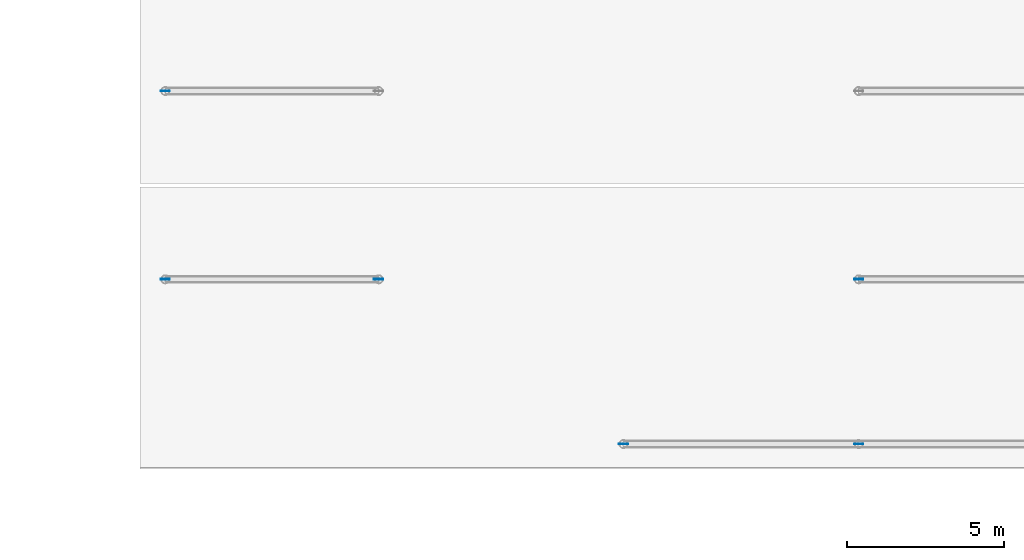
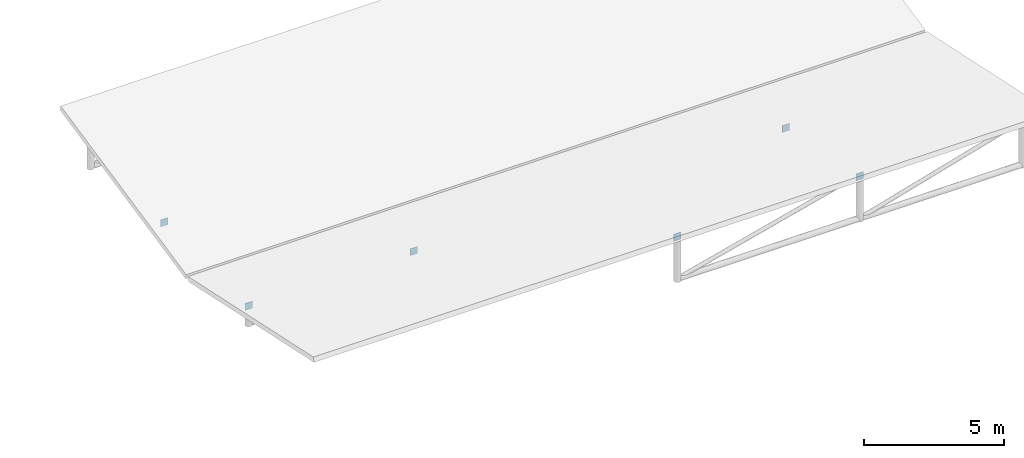
# One storey, part 127 of 146: 6 plates.
"""IFC4 building model written with IfcOpenShell, lengths in metres."""

from ifc_helpers import new_model, si_unit, direction, frame, origin, origin_2d, place, context, subcontext, project, spatial, rectangle, extrude, material, layer, layer_set, type_object, element, save


model = new_model("IFC4")

# Units and contexts
model_context = context("Model", 3, precision=1e-05, world=origin(), true_north=direction((0.0, 1.0)))
body_context = subcontext(model_context, "Body", "Model", "MODEL_VIEW")
ifc_project = project(units=[si_unit("LENGTHUNIT", "METRE"), si_unit("AREAUNIT", "SQUARE_METRE"), si_unit("VOLUMEUNIT", "CUBIC_METRE"), si_unit("PLANEANGLEUNIT", "RADIAN"), si_unit("MASSUNIT", "GRAM", prefix="KILO")], contexts=[model_context])

# Site, building, storey
site_placement = place(None, origin())
site = spatial("IfcSite", under=ifc_project, at=site_placement, CompositionType="ELEMENT")
building_placement = place(site_placement, origin())
building = spatial("IfcBuilding", under=site, at=building_placement, Name="Valcora Specialist Clinic", CompositionType="ELEMENT")
storey_placement = place(building_placement, frame((0.0, 0.0, 9.52001953125)))
storey = spatial("IfcBuildingStorey", under=building, at=storey_placement, Name="L02", CompositionType="ELEMENT", Elevation=9.52001953125)

# Plates
ifc_material = material(Name="Steel ASTM A572 Grade 50", Category="steel")
ifc_layer = layer(ifc_material, 0.02001953125)
ifc_layer_set = layer_set([ifc_layer], Name="Steel ASTM A572 Grade 50")
plate_type = type_object("IfcPlateType", Name="TY-PL-EC273", PredefinedType="USERDEFINED", material=ifc_layer_set)
for number, where, z_axis, x_axis, name in (
    (1, (147.0, 38.75, 1.75732421875), (0.0, 0.0, 1.0), (1.0, 0.0, 0.0), "Stub post end-cap plate COL-RFV3-1470-387"),
    (2, (154.5, 38.75, 1.75732421875), (0.0, 0.0, 1.0), (1.0, 0.0, 0.0), "Stub post end-cap plate COL-RFV3-1545-387"),
    (3, (132.39990234375, 44.0, 0.6748046875), (0.0, 0.0, 1.0), (1.0, 0.0, 0.0), "Stub post end-cap plate COL-RFV3-1324-440"),
    (4, (139.199951171875, 44.0, 0.6748046875), (0.0, 0.0, 1.0), (1.0, 0.0, 0.0), "Stub post end-cap plate COL-RFV3-1392-440"),
    (5, (154.5, 44.0, 0.6748046875), (0.0, 0.0, 1.0), (1.0, 0.0, 0.0), "Stub post end-cap plate COL-RFV3-1545-440"),
    (6, (132.39990234375, 50.0, 0.6748046875), (0.0, 0.0, 1.0), (1.0, 0.0, 0.0), "Stub post end-cap plate COL-RFV3-1324-500"),
):
    element("IfcPlate", number, at=place(storey_placement, frame(where, z_axis=z_axis, x_axis=x_axis)), inside=storey, type_object=plate_type, Name=name, ObjectType="FLANGE_PLATE", PredefinedType="USERDEFINED", context=body_context, shape_type="SweptSolid", body=[
        extrude(rectangle(XDim=0.300048828125, YDim=0.02001953125, at=origin_2d()), origin(), (0.0, 0.0, 1.0), 0.300048828125),
    ])

save(model, "model.ifc")
